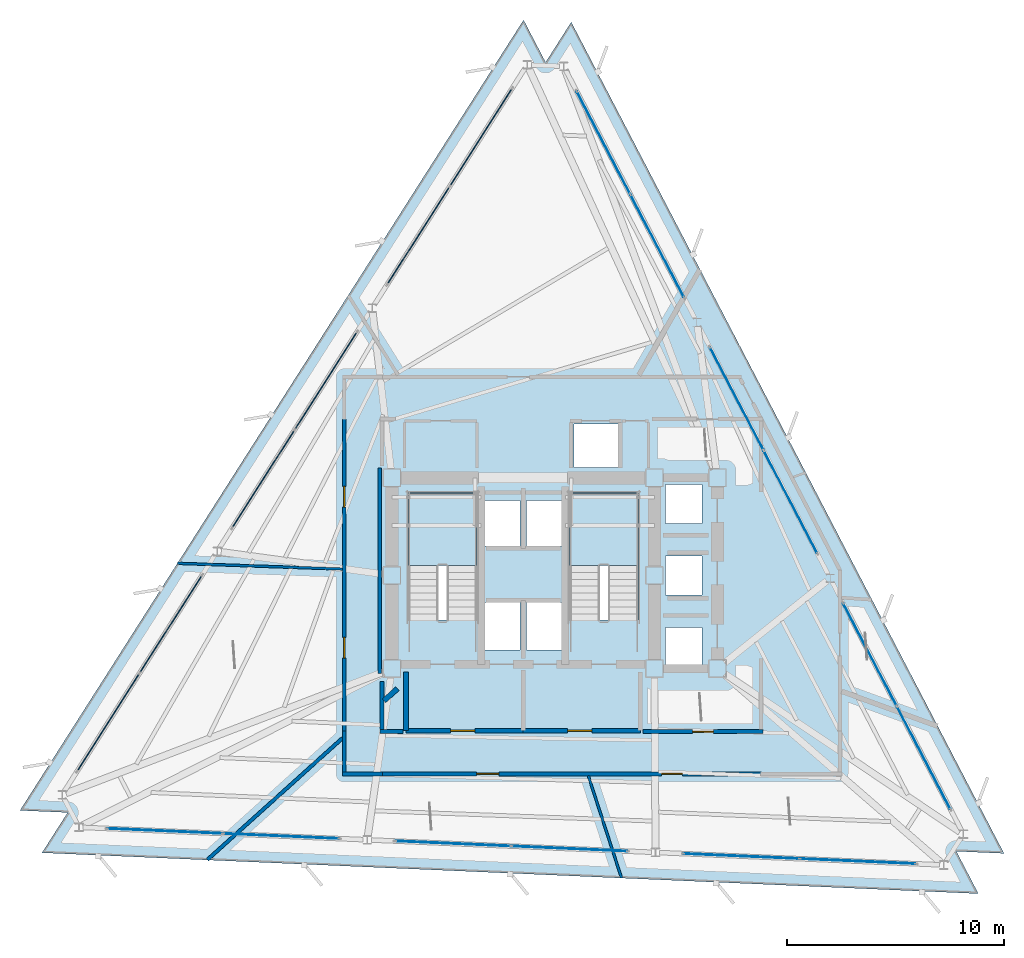
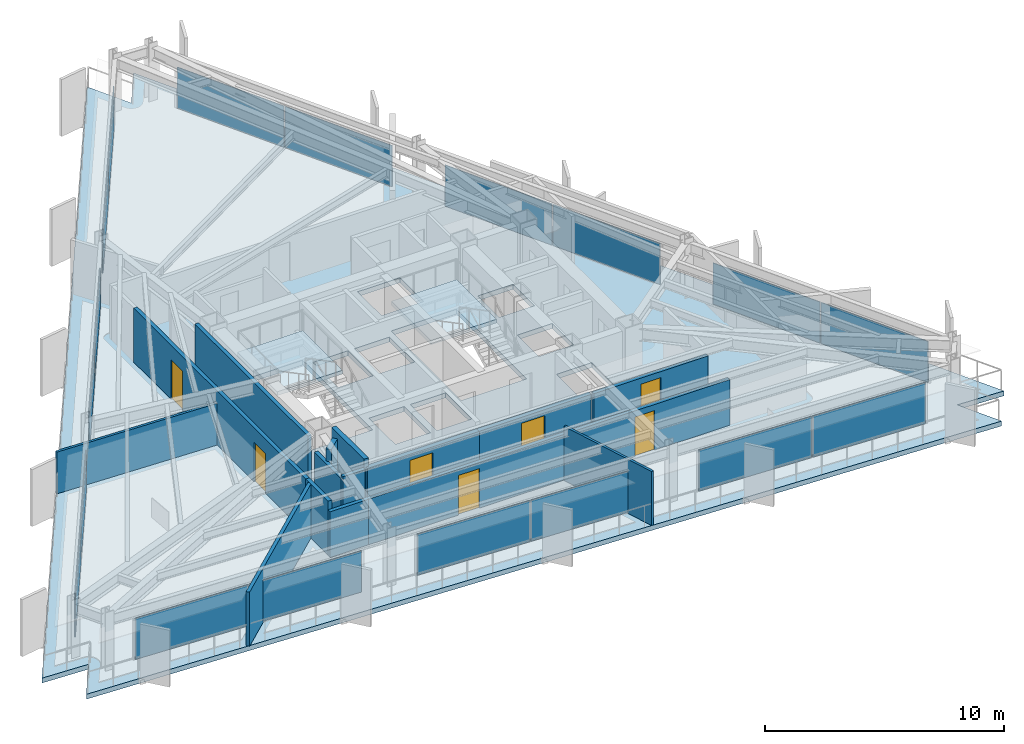
# One storey, part 7 of 12: 18 plates, 15 walls, 7 doors, 3 slabs, 7 openings, 11 elements without a shape of their own.
"""IFC4 building model written with IfcOpenShell, lengths in metres."""

from ifc_helpers import new_model, si_unit, direction, frame, frame_2d, origin, origin_2d, place, context, subcontext, project, spatial, polyline, rectangle, outline, extrude, material, layer, layer_set, type_object, element, fill, aggregate, save


model = new_model("IFC4")

# Units and contexts
model_context = context("Model", 3, precision=1e-05, world=origin(), true_north=direction((0.0, 1.0)))
body_context = subcontext(model_context, "Body", "Model", "MODEL_VIEW")
ifc_project = project(units=[si_unit("LENGTHUNIT", "METRE"), si_unit("AREAUNIT", "SQUARE_METRE"), si_unit("VOLUMEUNIT", "CUBIC_METRE"), si_unit("PLANEANGLEUNIT", "RADIAN"), si_unit("MASSUNIT", "GRAM", prefix="KILO")], contexts=[model_context])

# Site, building, storey
site_placement = place(None, origin())
site = spatial("IfcSite", under=ifc_project, at=site_placement, CompositionType="ELEMENT")
building_placement = place(site_placement, origin())
building = spatial("IfcBuilding", under=site, at=building_placement, Name="Rocaltana Carrier Exchange", CompositionType="ELEMENT")
storey_placement = place(building_placement, frame((0.0, 0.0, 138.080078125)))
storey = spatial("IfcBuildingStorey", under=building, at=storey_placement, Name="L43", CompositionType="ELEMENT", Elevation=138.080078125)

# Curtain wall, plates
ifc_material_1 = material(Name="Aluminium 6063-T6", Category="aluminium")
ifc_layer_1 = layer(ifc_material_1, 0.14990234375)
ifc_layer_set_1 = layer_set([ifc_layer_1], Name="Aluminium 6063-T6")
curtain_wall_type = type_object("IfcCurtainWallType", Name="Mid-Tower Unitised Curtain Wall CW-03", PredefinedType="NOTDEFINED", material=ifc_layer_set_1)
curtain_wall_1_placement = place(storey_placement, origin())
curtain_wall_1 = element("IfcCurtainWall", 1, at=curtain_wall_1_placement, inside=storey, type_object=curtain_wall_type, Name="L43 CW-03 Run CW-L43-F1S1", PredefinedType="NOTDEFINED")
ifc_material_2 = material(Name="Tempered Laminated Glass", Category="glass")
ifc_layer_2 = layer(ifc_material_2, 0.0400390625)
ifc_layer_set_2 = layer_set([ifc_layer_2], Name="Tempered Laminated Glass")
plate_type = type_object("IfcPlateType", Name="CW-03 Stone-Insulated Vision Panel", PredefinedType="CURTAIN_PANEL", material=ifc_layer_set_2)
plate_1_placement = place(storey_placement, frame((18.460693359375, -8.4111328125, 0.06005859375), z_axis=(0.0, 0.0, 1.0), x_axis=(-0.461750348962, 0.887009929614, 0.0)))
plate_1 = element("IfcPlate", 2, at=plate_1_placement, type_object=plate_type, Name="CW-03 panel 1.1", PredefinedType="CURTAIN_PANEL", context=body_context, shape_type="SweptSolid", body=[
    extrude(rectangle(XDim=5.31005859375, YDim=0.0400390625, at=origin_2d()), origin(), (0.0, 0.0, 1.0), 2.097900390625),
])
plate_2_placement = place(storey_placement, frame((15.98095703125, -3.64794921875, 0.06005859375), z_axis=(0.0, 0.0, 1.0), x_axis=(-0.461750348962, 0.887009929614, 0.0)))
plate_2 = element("IfcPlate", 3, at=plate_2_placement, type_object=plate_type, Name="CW-03 panel 2.1", PredefinedType="CURTAIN_PANEL", context=body_context, shape_type="SweptSolid", body=[
    extrude(rectangle(XDim=5.31005859375, YDim=0.0400390625, at=origin_2d()), origin(), (0.0, 0.0, 1.0), 2.097900390625),
])
aggregate(curtain_wall_1, [plate_1, plate_2])

curtain_wall_2_placement = place(storey_placement, origin())
curtain_wall_2 = element("IfcCurtainWall", 4, at=curtain_wall_2_placement, inside=storey, type_object=curtain_wall_type, Name="L43 CW-03 Run CW-L43-F1S2", PredefinedType="NOTDEFINED")
plate_3_placement = place(storey_placement, frame((12.3193359375, 3.385986328125, 0.06005859375), z_axis=(0.0, 0.0, 1.0), x_axis=(-0.461746856235, 0.887011747812, 0.0)))
plate_3 = element("IfcPlate", 5, at=plate_3_placement, type_object=plate_type, Name="CW-03 panel 1.1", PredefinedType="CURTAIN_PANEL", context=body_context, shape_type="SweptSolid", body=[
    extrude(rectangle(XDim=5.309814453125, YDim=0.0400390625, at=origin_2d()), origin(), (0.0, 0.0, 1.0), 2.097900390625),
])
plate_4_placement = place(storey_placement, frame((9.83984375, 8.1494140625, 0.06005859375), z_axis=(0.0, 0.0, 1.0), x_axis=(-0.461746856235, 0.887011747812, 0.0)))
plate_4 = element("IfcPlate", 6, at=plate_4_placement, type_object=plate_type, Name="CW-03 panel 2.1", PredefinedType="CURTAIN_PANEL", context=body_context, shape_type="SweptSolid", body=[
    extrude(rectangle(XDim=5.309814453125, YDim=0.0400390625, at=origin_2d()), origin(), (0.0, 0.0, 1.0), 2.097900390625),
])
aggregate(curtain_wall_2, [plate_3, plate_4])

curtain_wall_3_placement = place(storey_placement, origin())
curtain_wall_3 = element("IfcCurtainWall", 7, at=curtain_wall_3_placement, inside=storey, type_object=curtain_wall_type, Name="L43 CW-03 Run CW-L43-F1S3", PredefinedType="NOTDEFINED")
plate_5_placement = place(storey_placement, frame((6.17822265625, 15.183349609375, 0.06005859375), z_axis=(0.0, 0.0, 1.0), x_axis=(-0.461754141383, 0.887007955385, 0.0)))
plate_5 = element("IfcPlate", 8, at=plate_5_placement, type_object=plate_type, Name="CW-03 panel 1.1", PredefinedType="CURTAIN_PANEL", context=body_context, shape_type="SweptSolid", body=[
    extrude(rectangle(XDim=5.31005859375, YDim=0.0400390625, at=origin_2d()), origin(), (0.0, 0.0, 1.0), 2.097900390625),
])
plate_6_placement = place(storey_placement, frame((3.698486328125, 19.946533203125, 0.06005859375), z_axis=(0.0, 0.0, 1.0), x_axis=(-0.461754141383, 0.887007955385, 0.0)))
plate_6 = element("IfcPlate", 9, at=plate_6_placement, type_object=plate_type, Name="CW-03 panel 2.1", PredefinedType="CURTAIN_PANEL", context=body_context, shape_type="SweptSolid", body=[
    extrude(rectangle(XDim=5.31005859375, YDim=0.0400390625, at=origin_2d()), origin(), (0.0, 0.0, 1.0), 2.097900390625),
])
aggregate(curtain_wall_3, [plate_5, plate_6])

curtain_wall_4_placement = place(storey_placement, origin())
curtain_wall_4 = element("IfcCurtainWall", 10, at=curtain_wall_4_placement, inside=storey, type_object=curtain_wall_type, Name="L43 CW-03 Run CW-L43-F2S1", PredefinedType="NOTDEFINED")
plate_7_placement = place(storey_placement, frame((-1.946044921875, 20.19287109375, 0.06005859375), z_axis=(0.0, 0.0, 1.0), x_axis=(-0.537300801443, -0.843390685726, 0.0)))
plate_7 = element("IfcPlate", 11, at=plate_7_placement, type_object=plate_type, Name="CW-03 panel 1.1", PredefinedType="CURTAIN_PANEL", context=body_context, shape_type="SweptSolid", body=[
    extrude(rectangle(XDim=5.31005859375, YDim=0.0400390625, at=origin_2d()), origin(), (0.0, 0.0, 1.0), 2.097900390625),
])
plate_8_placement = place(storey_placement, frame((-4.831298828125, 15.663818359375, 0.06005859375), z_axis=(0.0, 0.0, 1.0), x_axis=(-0.537300801443, -0.843390685726, 0.0)))
plate_8 = element("IfcPlate", 12, at=plate_8_placement, type_object=plate_type, Name="CW-03 panel 2.1", PredefinedType="CURTAIN_PANEL", context=body_context, shape_type="SweptSolid", body=[
    extrude(rectangle(XDim=5.31005859375, YDim=0.0400390625, at=origin_2d()), origin(), (0.0, 0.0, 1.0), 2.097900390625),
])
aggregate(curtain_wall_4, [plate_7, plate_8])

curtain_wall_5_placement = place(storey_placement, origin())
curtain_wall_5 = element("IfcCurtainWall", 13, at=curtain_wall_5_placement, inside=storey, type_object=curtain_wall_type, Name="L43 CW-03 Run CW-L43-F2S2", PredefinedType="NOTDEFINED")
plate_9_placement = place(storey_placement, frame((-9.092041015625, 8.975830078125, 0.06005859375), z_axis=(0.0, 0.0, 1.0), x_axis=(-0.537300801443, -0.843390685726, 0.0)))
plate_9 = element("IfcPlate", 14, at=plate_9_placement, type_object=plate_type, Name="CW-03 panel 1.1", PredefinedType="CURTAIN_PANEL", context=body_context, shape_type="SweptSolid", body=[
    extrude(rectangle(XDim=5.31005859375, YDim=0.0400390625, at=origin_2d()), origin(), (0.0, 0.0, 1.0), 2.097900390625),
])
plate_10_placement = place(storey_placement, frame((-11.977294921875, 4.44677734375, 0.06005859375), z_axis=(0.0, 0.0, 1.0), x_axis=(-0.537300801443, -0.843390685726, 0.0)))
plate_10 = element("IfcPlate", 15, at=plate_10_placement, type_object=plate_type, Name="CW-03 panel 2.1", PredefinedType="CURTAIN_PANEL", context=body_context, shape_type="SweptSolid", body=[
    extrude(rectangle(XDim=5.31005859375, YDim=0.0400390625, at=origin_2d()), origin(), (0.0, 0.0, 1.0), 2.097900390625),
])
aggregate(curtain_wall_5, [plate_9, plate_10])

curtain_wall_6_placement = place(storey_placement, origin())
curtain_wall_6 = element("IfcCurtainWall", 16, at=curtain_wall_6_placement, inside=storey, type_object=curtain_wall_type, Name="L43 CW-03 Run CW-L43-F2S3", PredefinedType="NOTDEFINED")
plate_11_placement = place(storey_placement, frame((-16.23828125, -2.2412109375, 0.06005859375), z_axis=(0.0, 0.0, 1.0), x_axis=(-0.537300801443, -0.843390685726, 0.0)))
plate_11 = element("IfcPlate", 17, at=plate_11_placement, type_object=plate_type, Name="CW-03 panel 1.1", PredefinedType="CURTAIN_PANEL", context=body_context, shape_type="SweptSolid", body=[
    extrude(rectangle(XDim=5.31005859375, YDim=0.0400390625, at=origin_2d()), origin(), (0.0, 0.0, 1.0), 2.097900390625),
])
plate_12_placement = place(storey_placement, frame((-19.12353515625, -6.770263671875, 0.06005859375), z_axis=(0.0, 0.0, 1.0), x_axis=(-0.537300801443, -0.843390685726, 0.0)))
plate_12 = element("IfcPlate", 18, at=plate_12_placement, type_object=plate_type, Name="CW-03 panel 2.1", PredefinedType="CURTAIN_PANEL", context=body_context, shape_type="SweptSolid", body=[
    extrude(rectangle(XDim=5.31005859375, YDim=0.0400390625, at=origin_2d()), origin(), (0.0, 0.0, 1.0), 2.097900390625),
])
aggregate(curtain_wall_6, [plate_11, plate_12])

curtain_wall_7_placement = place(storey_placement, origin())
curtain_wall_7 = element("IfcCurtainWall", 19, at=curtain_wall_7_placement, inside=storey, type_object=curtain_wall_type, Name="L43 CW-03 Run CW-L43-F3S1", PredefinedType="NOTDEFINED")
plate_13_placement = place(storey_placement, frame((-16.5146484375, -11.78173828125, 0.06005859375), z_axis=(0.0, 0.0, 1.0), x_axis=(0.999047789154, -0.043629290456, 0.0)))
plate_13 = element("IfcPlate", 20, at=plate_13_placement, type_object=plate_type, Name="CW-03 panel 1.1", PredefinedType="CURTAIN_PANEL", context=body_context, shape_type="SweptSolid", body=[
    extrude(rectangle(XDim=5.31005859375, YDim=0.0400390625, at=origin_2d()), origin(), (0.0, 0.0, 1.0), 2.097900390625),
])
plate_14_placement = place(storey_placement, frame((-11.149658203125, -12.01611328125, 0.06005859375), z_axis=(0.0, 0.0, 1.0), x_axis=(0.999047789154, -0.043629290456, 0.0)))
plate_14 = element("IfcPlate", 21, at=plate_14_placement, type_object=plate_type, Name="CW-03 panel 2.1", PredefinedType="CURTAIN_PANEL", context=body_context, shape_type="SweptSolid", body=[
    extrude(rectangle(XDim=5.31005859375, YDim=0.0400390625, at=origin_2d()), origin(), (0.0, 0.0, 1.0), 2.097900390625),
])
aggregate(curtain_wall_7, [plate_13, plate_14])

curtain_wall_8_placement = place(storey_placement, origin())
curtain_wall_8 = element("IfcCurtainWall", 22, at=curtain_wall_8_placement, inside=storey, type_object=curtain_wall_type, Name="L43 CW-03 Run CW-L43-F3S2", PredefinedType="NOTDEFINED")
plate_15_placement = place(storey_placement, frame((-3.227294921875, -12.36181640625, 0.06005859375), z_axis=(0.0, 0.0, 1.0), x_axis=(0.999048175081, -0.043620452398, 0.0)))
plate_15 = element("IfcPlate", 23, at=plate_15_placement, type_object=plate_type, Name="CW-03 panel 1.1", PredefinedType="CURTAIN_PANEL", context=body_context, shape_type="SweptSolid", body=[
    extrude(rectangle(XDim=5.31005859375, YDim=0.0400390625, at=origin_2d()), origin(), (0.0, 0.0, 1.0), 2.097900390625),
])
plate_16_placement = place(storey_placement, frame((2.1376953125, -12.59619140625, 0.06005859375), z_axis=(0.0, 0.0, 1.0), x_axis=(0.999048175081, -0.043620452398, 0.0)))
plate_16 = element("IfcPlate", 24, at=plate_16_placement, type_object=plate_type, Name="CW-03 panel 2.1", PredefinedType="CURTAIN_PANEL", context=body_context, shape_type="SweptSolid", body=[
    extrude(rectangle(XDim=5.31005859375, YDim=0.0400390625, at=origin_2d()), origin(), (0.0, 0.0, 1.0), 2.097900390625),
])
aggregate(curtain_wall_8, [plate_15, plate_16])

curtain_wall_9_placement = place(storey_placement, origin())
curtain_wall_9 = element("IfcCurtainWall", 25, at=curtain_wall_9_placement, inside=storey, type_object=curtain_wall_type, Name="L43 CW-03 Run CW-L43-F3S3", PredefinedType="NOTDEFINED")
plate_17_placement = place(storey_placement, frame((10.06005859375, -12.942138671875, 0.06005859375), z_axis=(0.0, 0.0, 1.0), x_axis=(0.999047789154, -0.043629290456, 0.0)))
plate_17 = element("IfcPlate", 26, at=plate_17_placement, type_object=plate_type, Name="CW-03 panel 1.1", PredefinedType="CURTAIN_PANEL", context=body_context, shape_type="SweptSolid", body=[
    extrude(rectangle(XDim=5.31005859375, YDim=0.0400390625, at=origin_2d()), origin(), (0.0, 0.0, 1.0), 2.097900390625),
])
plate_18_placement = place(storey_placement, frame((15.425048828125, -13.17626953125, 0.06005859375), z_axis=(0.0, 0.0, 1.0), x_axis=(0.999047789154, -0.043629290456, 0.0)))
plate_18 = element("IfcPlate", 27, at=plate_18_placement, type_object=plate_type, Name="CW-03 panel 2.1", PredefinedType="CURTAIN_PANEL", context=body_context, shape_type="SweptSolid", body=[
    extrude(rectangle(XDim=5.31005859375, YDim=0.0400390625, at=origin_2d()), origin(), (0.0, 0.0, 1.0), 2.097900390625),
])
aggregate(curtain_wall_9, [plate_17, plate_18])

# Slab
ifc_material_3 = material(Name="Concrete C50/60", Category="concrete")
ifc_layer_3 = layer(ifc_material_3, 0.25)
ifc_layer_set_3 = layer_set([ifc_layer_3], Name="Concrete C50/60")
slab_type_1 = type_object("IfcSlabType", Name="Mid-Zone Tower Slab 250", PredefinedType="FLOOR", material=ifc_layer_set_3)
slab_1_placement = place(storey_placement, frame((0.0, 0.0, -0.25)))
element("IfcSlab", 28, at=slab_1_placement, inside=storey, type_object=slab_type_1, Name="L43 Structural Floor Slab", PredefinedType="FLOOR", context=body_context, shape_type="SweptSolid", body=[
    extrude(outline(polyline([(20.97998046875, -14.669921875), (19.964111328125, -12.718505859375), (22.162109375, -12.814697265625), (2.214599609375, 25.50439453125), (1.032470703125, 23.648681640625), (0.0166015625, 25.600341796875), (-23.194580078125, -10.834228515625), (-20.996826171875, -10.93017578125), (-22.1787109375, -12.78564453125), (20.97998046875, -14.669921875)]), holes=[polyline([(-5.300048828125, -2.06005859375), (-2.139892578125, -2.06005859375), (-2.139892578125, 3.800048828125), (-5.300048828125, 3.800048828125), (-5.300048828125, -2.06005859375)]), polyline([(2.139892578125, -2.06005859375), (5.300048828125, -2.06005859375), (5.300048828125, 3.800048828125), (2.139892578125, 3.800048828125), (2.139892578125, -2.06005859375)]), polyline([(-1.85009765625, -3.449951171875), (-0.14990234375, -3.449951171875), (-0.14990234375, -1.25), (-1.85009765625, -1.25), (-1.85009765625, -3.449951171875)]), polyline([(0.14990234375, -3.449951171875), (1.85009765625, -3.449951171875), (1.85009765625, -1.25), (0.14990234375, -1.25), (0.14990234375, -3.449951171875)]), polyline([(2.35009765625, 4.97998046875), (4.39990234375, 4.97998046875), (4.39990234375, 6.97998046875), (2.35009765625, 6.97998046875), (2.35009765625, 4.97998046875)]), polyline([(-1.85009765625, 1.35009765625), (-0.14990234375, 1.35009765625), (-0.14990234375, 3.449951171875), (-1.85009765625, 3.449951171875), (-1.85009765625, 1.35009765625)]), polyline([(0.14990234375, 1.35009765625), (1.85009765625, 1.35009765625), (1.85009765625, 3.449951171875), (0.14990234375, 3.449951171875), (0.14990234375, 1.35009765625)]), polyline([(6.550048828125, -4.199951171875), (8.25, -4.199951171875), (8.25, -2.39990234375), (6.550048828125, -2.39990234375), (6.550048828125, -4.199951171875)]), polyline([(6.550048828125, -0.89990234375), (8.25, -0.89990234375), (8.25, 0.89990234375), (6.550048828125, 0.89990234375), (6.550048828125, -0.89990234375)]), polyline([(6.550048828125, 2.39990234375), (8.25, 2.39990234375), (8.25, 4.199951171875), (6.550048828125, 4.199951171875), (6.550048828125, 2.39990234375)])]), origin(), (0.0, 0.0, 1.0), 0.25),
])

# Stair, slab
ifc_material_4 = material(Name="Precast concrete C45/55", Category="concrete")
stair_type = type_object("IfcStairType", Name="Standard Dog-Leg Stair 160", PredefinedType="HALF_TURN_STAIR", material=ifc_material_4)
stair_1_placement = place(storey_placement, origin())
stair_1 = element("IfcStair", 29, at=stair_1_placement, inside=storey, type_object=stair_type, Name="L43 Core West Exit Stair ST-1", PredefinedType="HALF_TURN_STAIR")
ifc_material_5 = material(Name="Precast concrete C45/55", Category="concrete")
ifc_layer_4 = layer(ifc_material_5, 0.199951171875)
ifc_layer_set_4 = layer_set([ifc_layer_4], Name="Precast concrete C45/55")
slab_type_2 = type_object("IfcSlabType", Name="Precast Stair Half-Landing 200", PredefinedType="LANDING", material=ifc_layer_set_4)
slab_2_placement = place(storey_placement, frame((0.0, 0.0, 1.31982421875)))
slab_2 = element("IfcSlab", 30, at=slab_2_placement, type_object=slab_type_2, Name="ST-1 landing 1", PredefinedType="LANDING", context=body_context, shape_type="SweptSolid", body=[
    extrude(outline(polyline([(-2.139892578125, 0.4599609375), (-2.139892578125, 3.800048828125), (-5.300048828125, 3.800048828125), (-5.300048828125, 0.4599609375), (-2.139892578125, 0.4599609375)])), origin(), (0.0, 0.0, 1.0), 0.2001953125),
])
aggregate(stair_1, [slab_2])

stair_2_placement = place(storey_placement, origin())
stair_2 = element("IfcStair", 31, at=stair_2_placement, inside=storey, type_object=stair_type, Name="L43 Core East Exit Stair ST-2", PredefinedType="HALF_TURN_STAIR")
slab_3_placement = place(storey_placement, frame((0.0, 0.0, 1.31982421875)))
slab_3 = element("IfcSlab", 32, at=slab_3_placement, type_object=slab_type_2, Name="ST-2 landing 1", PredefinedType="LANDING", context=body_context, shape_type="SweptSolid", body=[
    extrude(outline(polyline([(5.300048828125, 0.4599609375), (5.300048828125, 3.800048828125), (2.139892578125, 3.800048828125), (2.139892578125, 0.4599609375), (5.300048828125, 0.4599609375)])), origin(), (0.0, 0.0, 1.0), 0.2001953125),
])
aggregate(stair_2, [slab_3])

# Walls
ifc_material_6 = material(Name="Double Acoustic Gypsum Partition", Category="gypsum")
ifc_layer_5 = layer(ifc_material_6, 0.159912109375)
ifc_layer_set_5 = layer_set([ifc_layer_5], Name="Double Acoustic Gypsum Partition")
wall_type_1 = type_object("IfcWallType", Name="Acoustic Studio Partition 160 EI60", PredefinedType="PARTITIONING", material=ifc_layer_set_5)
wall_1_placement = place(storey_placement, frame((-8.330078125, -7.50048828125, 0.0), z_axis=(0.0, 0.0, 1.0), x_axis=(-0.743147832275, -0.669127266957, 0.0)))
element("IfcWall", 33, at=wall_1_placement, inside=storey, type_object=wall_type_1, Name="L43 Suite Divider Wall D2", PredefinedType="PARTITIONING", context=body_context, shape_type="SweptSolid", body=[
    extrude(rectangle(XDim=8.380859375, YDim=0.159912109375, at=frame_2d((4.1904296875, 0.0))), origin(), (0.0, 0.0, 1.0), 2.762939453125),
])
ifc_material_7 = material(Name="Gypsum & Steel Stud Partition", Category="steel")
ifc_layer_6 = layer(ifc_material_7, 0.179931640625)
ifc_layer_set_6 = layer_set([ifc_layer_6], Name="Gypsum & Steel Stud Partition")
wall_type_2 = type_object("IfcWallType", Name="Corridor Fire Partition 180 EI60", PredefinedType="PARTITIONING", material=ifc_layer_set_6)
wall_2_placement = place(storey_placement, frame((-6.47998046875, -9.14990234375, 0.0), z_axis=(0.0, 0.0, 1.0), x_axis=(-1.0, 0.0, 0.0)))
element("IfcWall", 34, at=wall_2_placement, inside=storey, type_object=wall_type_2, Name="L43 Corridor Partition 1", PredefinedType="PARTITIONING", context=body_context, shape_type="SweptSolid", body=[
    extrude(rectangle(XDim=1.860107421875, YDim=0.179931640625, at=frame_2d((0.93017578125, 0.0))), origin(), (0.0, 0.0, 1.0), 2.329833984375),
])
wall_3_placement = place(storey_placement, frame((-8.25, -9.06005859375, 0.0), z_axis=(0.0, 0.0, 1.0), x_axis=(0.0, 1.0, 0.0)))
element("IfcWall", 35, at=wall_3_placement, inside=storey, type_object=wall_type_2, Name="L43 Corridor Partition 2", PredefinedType="PARTITIONING", context=body_context, shape_type="SweptSolid", body=[
    extrude(rectangle(XDim=1.880126953125, YDim=0.179931640625, at=frame_2d((0.93994140625, 0.0))), origin(), (0.0, 0.0, 1.0), 2.762939453125),
])

# Wall, openings, doors
wall_4_placement = place(storey_placement, frame((-8.25, -7.219970703125, 0.0), z_axis=(0.0, 0.0, 1.0), x_axis=(0.0, 1.0, 0.0)))
wall_4 = element("IfcWall", 36, at=wall_4_placement, inside=storey, type_object=wall_type_2, Name="L43 Corridor Partition 3", PredefinedType="PARTITIONING", context=body_context, shape_type="SweptSolid", body=[
    extrude(rectangle(XDim=14.43994140625, YDim=0.179931640625, at=frame_2d((7.219970703125, 0.0))), origin(), (0.0, 0.0, 1.0), 2.762939453125),
])
opening_1_placement = place(wall_4_placement, frame((3.40576171875, 0.0, 0.0)))
opening_1 = element("IfcOpeningElement", 37, at=opening_1_placement, cuts=wall_4, Name="Opening D-RM098", PredefinedType="OPENING", context=body_context, shape_type="SweptSolid", body=[
    extrude(rectangle(XDim=0.9599609375, YDim=2.02001953125, at=frame_2d((0.47998046875, 1.010009765625))), frame((0.0, 0.099853515625, 0.0), z_axis=(0.0, -1.0, 0.0), x_axis=(1.0, 0.0, 0.0)), (0.0, 0.0, 1.0), 0.199951171875),
])
opening_2_placement = place(wall_4_placement, frame((10.365234375, 0.0, 0.0)))
opening_2 = element("IfcOpeningElement", 38, at=opening_2_placement, cuts=wall_4, Name="Opening D-RM098", PredefinedType="OPENING", context=body_context, shape_type="SweptSolid", body=[
    extrude(rectangle(XDim=0.9599609375, YDim=2.02001953125, at=frame_2d((0.47998046875, 1.010009765625))), frame((0.0, 0.099853515625, 0.0), z_axis=(0.0, -1.0, 0.0), x_axis=(1.0, 0.0, 0.0)), (0.0, 0.0, 1.0), 0.199951171875),
])
ifc_material_8 = material(Name="Engineered Hardwood Timber", Category="wood")
door_type_1 = type_object("IfcDoorType", Name="Workspace Single Door 960x2020", OperationType="NOTDEFINED", PredefinedType="DOOR", material=ifc_material_8)
door_1_placement = place(opening_1_placement, origin())
door_1 = element("IfcDoor", 39, at=door_1_placement, inside=storey, type_object=door_type_1, Name="L43 Network Engineering Studio Entrance Door", OperationType="SINGLE_SWING_LEFT", OverallHeight=2.02001953125, OverallWidth=0.9599609375, PredefinedType="DOOR", context=body_context, shape_type="SweptSolid", body=[
    extrude(rectangle(XDim=0.9599609375, YDim=2.02001953125, at=frame_2d((0.47998046875, 1.010009765625))), frame((0.0, 0.02490234375, 0.0), z_axis=(0.0, -1.0, 0.0), x_axis=(1.0, 0.0, 0.0)), (0.0, 0.0, 1.0), 0.050048828125),
])
fill(opening_1, door_1)
door_2_placement = place(opening_2_placement, origin())
door_2 = element("IfcDoor", 40, at=door_2_placement, inside=storey, type_object=door_type_1, Name="L43 Cloud Architecture Office Entrance Door", OperationType="SINGLE_SWING_LEFT", OverallHeight=2.02001953125, OverallWidth=0.9599609375, PredefinedType="DOOR", context=body_context, shape_type="SweptSolid", body=[
    extrude(rectangle(XDim=0.9599609375, YDim=2.02001953125, at=frame_2d((0.47998046875, 1.010009765625))), frame((0.0, 0.02490234375, 0.0), z_axis=(0.0, -1.0, 0.0), x_axis=(1.0, 0.0, 0.0)), (0.0, 0.0, 1.0), 0.050048828125),
])
fill(opening_2, door_2)

wall_5_placement = place(storey_placement, frame((10.97998046875, -9.14990234375, 0.0), z_axis=(0.0, 0.0, 1.0), x_axis=(-1.0, 0.0, 0.0)))
wall_5 = element("IfcWall", 41, at=wall_5_placement, inside=storey, type_object=wall_type_2, Name="L43 Corridor Partition 11", PredefinedType="PARTITIONING", context=body_context, shape_type="SweptSolid", body=[
    extrude(rectangle(XDim=17.5, YDim=0.179931640625, at=frame_2d((8.75, 0.0))), origin(), (0.0, 0.0, 1.0), 2.329833984375),
])
opening_3_placement = place(wall_5_placement, frame((12.1015625, 0.0, 0.0)))
opening_3 = element("IfcOpeningElement", 42, at=opening_3_placement, cuts=wall_5, Name="Opening D-LB104", PredefinedType="OPENING", context=body_context, shape_type="SweptSolid", body=[
    extrude(rectangle(XDim=1.02001953125, YDim=2.02001953125, at=frame_2d((0.510009765625, 1.010009765625))), frame((0.0, 0.099853515625, 0.0), z_axis=(0.0, -1.0, 0.0), x_axis=(1.0, 0.0, 0.0)), (0.0, 0.0, 1.0), 0.199951171875),
])
opening_4_placement = place(wall_5_placement, frame((3.638671875, 0.0, 0.0)))
opening_4 = element("IfcOpeningElement", 43, at=opening_4_placement, cuts=wall_5, Name="Opening D-RM098", PredefinedType="OPENING", context=body_context, shape_type="SweptSolid", body=[
    extrude(rectangle(XDim=0.9599609375, YDim=2.02001953125, at=frame_2d((0.47998046875, 1.010009765625))), frame((0.0, 0.099853515625, 0.0), z_axis=(0.0, -1.0, 0.0), x_axis=(1.0, 0.0, 0.0)), (0.0, 0.0, 1.0), 0.199951171875),
])
ifc_material_9 = material(Name="Powder-Coated Aluminium 6063-T6", Category="aluminium")
door_type_2 = type_object("IfcDoorType", Name="Laboratory Acoustic Door 1020x2020", OperationType="NOTDEFINED", PredefinedType="DOOR", material=ifc_material_9)
door_3_placement = place(opening_3_placement, origin())
door_3 = element("IfcDoor", 44, at=door_3_placement, inside=storey, type_object=door_type_2, Name="L43 Photonic Integration Workshop Entrance Door", OperationType="SINGLE_SWING_RIGHT", OverallHeight=2.02001953125, OverallWidth=1.02001953125, PredefinedType="DOOR", context=body_context, shape_type="SweptSolid", body=[
    extrude(rectangle(XDim=1.02001953125, YDim=2.02001953125, at=frame_2d((0.510009765625, 1.010009765625))), frame((0.0, 0.02490234375, 0.0), z_axis=(0.0, -1.0, 0.0), x_axis=(1.0, 0.0, 0.0)), (0.0, 0.0, 1.0), 0.050048828125),
])
fill(opening_3, door_3)
door_4_placement = place(opening_4_placement, origin())
door_4 = element("IfcDoor", 45, at=door_4_placement, inside=storey, type_object=door_type_1, Name="L43 Network Engineering Studio Entrance Door", OperationType="SINGLE_SWING_LEFT", OverallHeight=2.02001953125, OverallWidth=0.9599609375, PredefinedType="DOOR", context=body_context, shape_type="SweptSolid", body=[
    extrude(rectangle(XDim=0.9599609375, YDim=2.02001953125, at=frame_2d((0.47998046875, 1.010009765625))), frame((0.0, 0.02490234375, 0.0), z_axis=(0.0, -1.0, 0.0), x_axis=(1.0, 0.0, 0.0)), (0.0, 0.0, 1.0), 0.050048828125),
])
fill(opening_4, door_4)

# Wall, opening, door
wall_6_placement = place(storey_placement, frame((5.530029296875, -7.199951171875, 0.0), z_axis=(0.0, 0.0, 1.0), x_axis=(1.0, 0.0, 0.0)))
wall_6 = element("IfcWall", 46, at=wall_6_placement, inside=storey, type_object=wall_type_2, Name="L43 Corridor Partition 12", PredefinedType="PARTITIONING", context=body_context, shape_type="SweptSolid", body=[
    extrude(rectangle(XDim=5.52001953125, YDim=0.179931640625, at=frame_2d((2.760009765625, 0.0))), origin(), (0.0, 0.0, 1.0), 2.329833984375),
])
opening_5_placement = place(wall_6_placement, frame((2.280029296875, 0.0, 0.0)))
opening_5 = element("IfcOpeningElement", 47, at=opening_5_placement, cuts=wall_6, Name="Opening D-RM098", PredefinedType="OPENING", context=body_context, shape_type="SweptSolid", body=[
    extrude(rectangle(XDim=0.9599609375, YDim=2.02001953125, at=frame_2d((0.47998046875, 1.010009765625))), frame((0.0, 0.099853515625, 0.0), z_axis=(0.0, -1.0, 0.0), x_axis=(1.0, 0.0, 0.0)), (0.0, 0.0, 1.0), 0.199951171875),
])
door_5_placement = place(opening_5_placement, origin())
door_5 = element("IfcDoor", 48, at=door_5_placement, inside=storey, type_object=door_type_1, Name="L43 Peering Conference Room Entrance Door", OperationType="SINGLE_SWING_RIGHT", OverallHeight=2.02001953125, OverallWidth=0.9599609375, PredefinedType="DOOR", context=body_context, shape_type="SweptSolid", body=[
    extrude(rectangle(XDim=0.9599609375, YDim=2.02001953125, at=frame_2d((0.47998046875, 1.010009765625))), frame((0.0, 0.02490234375, 0.0), z_axis=(0.0, -1.0, 0.0), x_axis=(1.0, 0.0, 0.0)), (0.0, 0.0, 1.0), 0.050048828125),
])
fill(opening_5, door_5)

# Walls
wall_7_placement = place(storey_placement, frame((-6.610107421875, 4.93994140625, 0.0), z_axis=(0.0, 0.0, 1.0), x_axis=(0.0, -1.0, 0.0)))
element("IfcWall", 49, at=wall_7_placement, inside=storey, type_object=wall_type_2, Name="L43 Corridor Partition 18", PredefinedType="PARTITIONING", context=body_context, shape_type="SweptSolid", body=[
    extrude(rectangle(XDim=9.4599609375, YDim=0.179931640625, at=frame_2d((4.72998046875, 0.0))), origin(), (0.0, 0.0, 1.0), 2.762939453125),
])
wall_8_placement = place(storey_placement, frame((-6.5, -4.8798828125, 0.0), z_axis=(0.0, 0.0, 1.0), x_axis=(0.0, -1.0, 0.0)))
element("IfcWall", 50, at=wall_8_placement, inside=storey, type_object=wall_type_2, Name="L43 Corridor Partition 19", PredefinedType="PARTITIONING", context=body_context, shape_type="SweptSolid", body=[
    extrude(rectangle(XDim=2.230224609375, YDim=0.179931640625, at=frame_2d((1.115234375, 0.0))), origin(), (0.0, 0.0, 1.0), 2.1318359375),
])
wall_9_placement = place(storey_placement, frame((-6.590087890625, -7.199951171875, 0.0), z_axis=(0.0, 0.0, 1.0), x_axis=(1.0, 0.0, 0.0)))
element("IfcWall", 51, at=wall_9_placement, inside=storey, type_object=wall_type_2, Name="L43 Corridor Partition 20", PredefinedType="PARTITIONING", context=body_context, shape_type="SweptSolid", body=[
    extrude(rectangle(XDim=1.06005859375, YDim=0.179931640625, at=frame_2d((0.530029296875, 0.0))), origin(), (0.0, 0.0, 1.0), 2.329833984375),
])
ifc_material_10 = material(Name="Aluminium 6063-T6 & Acoustic Glass", Category="aluminium")
ifc_layer_7 = layer(ifc_material_10, 0.114990234375)
ifc_layer_set_7 = layer_set([ifc_layer_7], Name="Aluminium 6063-T6 & Acoustic Glass")
wall_type_3 = type_object("IfcWallType", Name="Demountable Glazed Lab Partition 115", PredefinedType="MOVABLE", material=ifc_layer_set_7)
wall_10_placement = place(storey_placement, frame((2.9990234375, -9.22998046875, 0.0), z_axis=(0.0, 0.0, 1.0), x_axis=(0.309019216851, -0.951055794166, 0.0)))
element("IfcWall", 52, at=wall_10_placement, inside=storey, type_object=wall_type_3, Name="L43 Suite Divider Wall D3", PredefinedType="MOVABLE", context=body_context, shape_type="SweptSolid", body=[
    extrude(rectangle(XDim=4.954345703125, YDim=0.114990234375, at=frame_2d((2.47705078125, 0.0))), origin(), (0.0, 0.0, 1.0), 2.762939453125),
])
wall_11_placement = place(storey_placement, frame((-8.330078125, 0.291015625, 0.0), z_axis=(0.0, 0.0, 1.0), x_axis=(-0.999391414835, 0.034882659784, 0.0)))
element("IfcWall", 53, at=wall_11_placement, inside=storey, type_object=wall_type_3, Name="L43 Suite Divider Wall D9", PredefinedType="MOVABLE", context=body_context, shape_type="SweptSolid", body=[
    extrude(rectangle(XDim=7.600830078125, YDim=0.114990234375, at=frame_2d((3.80029296875, 0.0))), origin(), (0.0, 0.0, 1.0), 2.1318359375),
])
ifc_material_11 = material(Name="Autoclaved Aerated Concrete C30/37", Category="concrete")
ifc_layer_8 = layer(ifc_material_11, 0.219970703125)
ifc_layer_set_8 = layer_set([ifc_layer_8], Name="Autoclaved Aerated Concrete C30/37")
wall_type_4 = type_object("IfcWallType", Name="Firefighting Lobby Wall 220 EI120", PredefinedType="PARTITIONING", material=ifc_layer_set_8)
wall_12_placement = place(storey_placement, frame((-5.39990234375, -7.159912109375, 0.0), z_axis=(0.0, 0.0, 1.0), x_axis=(0.0, 1.0, 0.0)))
element("IfcWall", 54, at=wall_12_placement, inside=storey, type_object=wall_type_4, Name="L43 FFL Lobby 1 West Wall", PredefinedType="PARTITIONING", context=body_context, shape_type="SweptSolid", body=[
    extrude(rectangle(XDim=2.7099609375, YDim=0.219970703125, at=frame_2d((1.35498046875, 0.0))), origin(), (0.0, 0.0, 1.0), 2.762939453125),
])

# Wall, opening, door
wall_13_placement = place(storey_placement, frame((-5.39990234375, -7.159912109375, 0.0), z_axis=(0.0, 0.0, 1.0), x_axis=(1.0, 0.0, 0.0)))
wall_13 = element("IfcWall", 55, at=wall_13_placement, inside=storey, type_object=wall_type_4, Name="L43 FFL Lobby 1 South Wall", PredefinedType="PARTITIONING", context=body_context, shape_type="SweptSolid", body=[
    extrude(rectangle(XDim=5.39990234375, YDim=0.219970703125, at=frame_2d((2.699951171875, 0.0))), origin(), (0.0, 0.0, 1.0), 2.329833984375),
])
opening_6_placement = place(wall_13_placement, frame((2.050048828125, 0.0, 0.0)))
opening_6 = element("IfcOpeningElement", 56, at=opening_6_placement, cuts=wall_13, Name="Opening D-FF115", PredefinedType="OPENING", context=body_context, shape_type="SweptSolid", body=[
    extrude(rectangle(XDim=1.1201171875, YDim=2.02001953125, at=frame_2d((0.56005859375, 1.010009765625))), frame((0.0, 0.119873046875, 0.0), z_axis=(0.0, -1.0, 0.0), x_axis=(1.0, 0.0, 0.0)), (0.0, 0.0, 1.0), 0.239990234375),
])
ifc_material_12 = material(Name="Hollow Metal Fire Door Assembly", Category="steel")
door_type_3 = type_object("IfcDoorType", Name="Firefighting Lobby Door 1120x2020 FD60S", OperationType="NOTDEFINED", PredefinedType="DOOR", material=ifc_material_12)
door_6_placement = place(opening_6_placement, origin())
door_6 = element("IfcDoor", 57, at=door_6_placement, inside=storey, type_object=door_type_3, Name="L43 Firefighting Lift Lobby 1 Door", OperationType="SINGLE_SWING_LEFT", OverallHeight=2.02001953125, OverallWidth=1.1201171875, PredefinedType="DOOR", context=body_context, shape_type="SweptSolid", body=[
    extrude(rectangle(XDim=1.1201171875, YDim=2.02001953125, at=frame_2d((0.56005859375, 1.010009765625))), frame((0.0, 0.02490234375, 0.0), z_axis=(0.0, -1.0, 0.0), x_axis=(1.0, 0.0, 0.0)), (0.0, 0.0, 1.0), 0.050048828125),
])
fill(opening_6, door_6)

wall_14_placement = place(storey_placement, frame((0.0, -7.159912109375, 0.0), z_axis=(0.0, 0.0, 1.0), x_axis=(1.0, 0.0, 0.0)))
wall_14 = element("IfcWall", 58, at=wall_14_placement, inside=storey, type_object=wall_type_4, Name="L43 FFL Lobby 2 South Wall", PredefinedType="PARTITIONING", context=body_context, shape_type="SweptSolid", body=[
    extrude(rectangle(XDim=5.39990234375, YDim=0.219970703125, at=frame_2d((2.699951171875, 0.0))), origin(), (0.0, 0.0, 1.0), 2.329833984375),
])
opening_7_placement = place(wall_14_placement, frame((2.050048828125, 0.0, 0.0)))
opening_7 = element("IfcOpeningElement", 59, at=opening_7_placement, cuts=wall_14, Name="Opening D-FF115", PredefinedType="OPENING", context=body_context, shape_type="SweptSolid", body=[
    extrude(rectangle(XDim=1.1201171875, YDim=2.02001953125, at=frame_2d((0.56005859375, 1.010009765625))), frame((0.0, 0.119873046875, 0.0), z_axis=(0.0, -1.0, 0.0), x_axis=(1.0, 0.0, 0.0)), (0.0, 0.0, 1.0), 0.239990234375),
])
door_7_placement = place(opening_7_placement, origin())
door_7 = element("IfcDoor", 60, at=door_7_placement, inside=storey, type_object=door_type_3, Name="L43 Firefighting Lift Lobby 2 Door", OperationType="SINGLE_SWING_RIGHT", OverallHeight=2.02001953125, OverallWidth=1.1201171875, PredefinedType="DOOR", context=body_context, shape_type="SweptSolid", body=[
    extrude(rectangle(XDim=1.1201171875, YDim=2.02001953125, at=frame_2d((0.56005859375, 1.010009765625))), frame((0.0, 0.02490234375, 0.0), z_axis=(0.0, -1.0, 0.0), x_axis=(1.0, 0.0, 0.0)), (0.0, 0.0, 1.0), 0.050048828125),
])
fill(opening_7, door_7)

# Wall
ifc_material_13 = material(Name="Acoustic Calcium Silicate Partition", Category="gypsum")
ifc_layer_9 = layer(ifc_material_13, 0.239990234375)
ifc_layer_set_9 = layer_set([ifc_layer_9], Name="Acoustic Calcium Silicate Partition")
wall_type_5 = type_object("IfcWallType", Name="Heavy Lab Partition 240 EI90", PredefinedType="PARTITIONING", material=ifc_layer_set_9)
wall_15_placement = place(storey_placement, frame((-5.800048828125, -5.222412109375, 0.0), z_axis=(0.0, 0.0, 1.0), x_axis=(-0.743163145085, -0.669110259813, 0.0)))
element("IfcWall", 61, at=wall_15_placement, inside=storey, type_object=wall_type_5, Name="L43 Suite Divider Wall D1", PredefinedType="PARTITIONING", context=body_context, shape_type="SweptSolid", body=[
    extrude(rectangle(XDim=0.833984375, YDim=0.239990234375, at=frame_2d((0.4169921875, 0.0))), origin(), (0.0, 0.0, 1.0), 2.762939453125),
])

save(model, "model.ifc")
